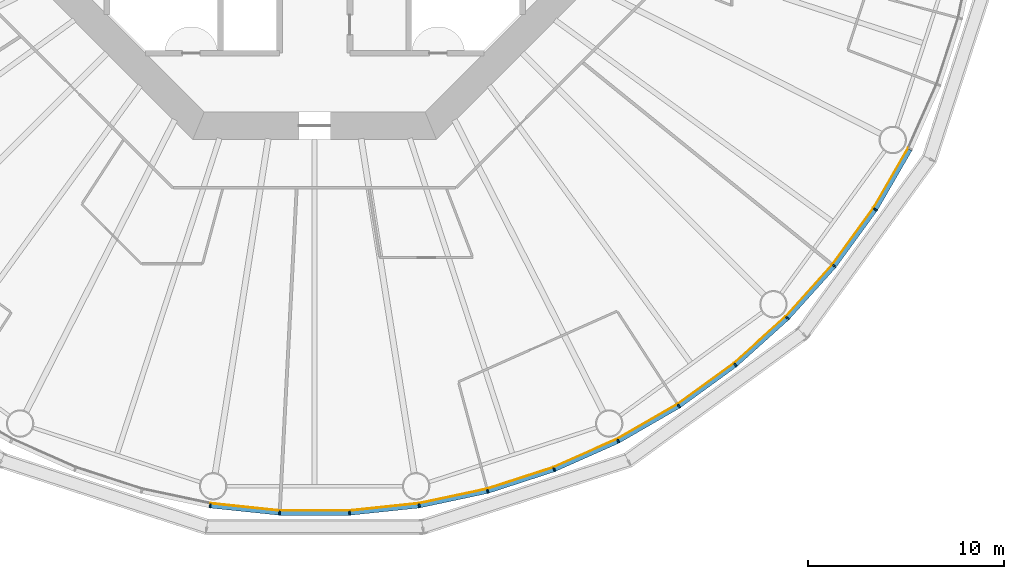
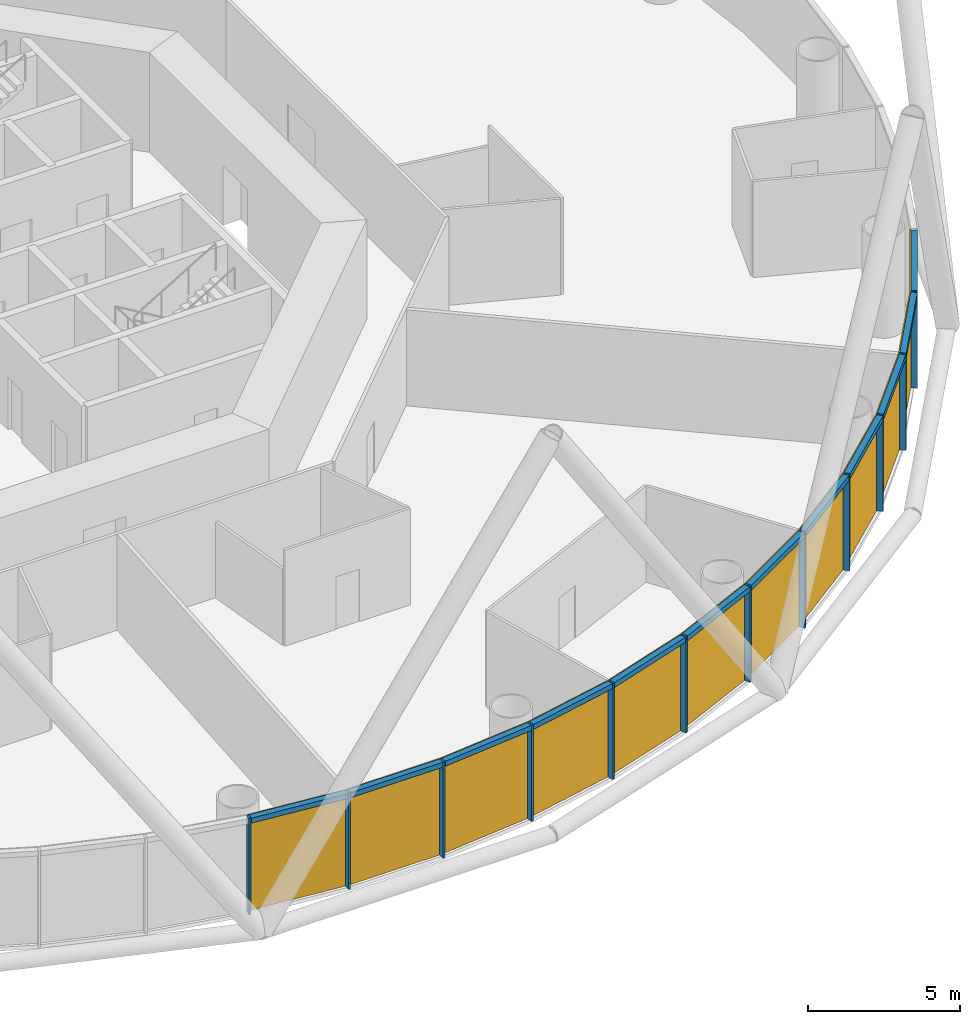
# One storey, part 8 of 13: 24 members, 4 curtain walls.
"""IFC4 building model written with IfcOpenShell, lengths in metres."""

from ifc_helpers import new_model, si_unit, direction, frame, origin, origin_2d, place, context, subcontext, project, spatial, polyline, rectangle, outline, extrude, material, layer, layer_set, material_profile, profile_set, type_object, element, aggregate, save


model = new_model("IFC4")

# Units and contexts
model_context = context("Model", 3, precision=1e-05, world=origin(), true_north=direction((0.0, 1.0)))
body_context = subcontext(model_context, "Body", "Model", "MODEL_VIEW")
ifc_project = project(units=[si_unit("LENGTHUNIT", "METRE"), si_unit("AREAUNIT", "SQUARE_METRE"), si_unit("VOLUMEUNIT", "CUBIC_METRE"), si_unit("PLANEANGLEUNIT", "RADIAN"), si_unit("MASSUNIT", "GRAM", prefix="KILO")], contexts=[model_context])

# Member
ifc_material_1 = material(Name="Anodised aluminium", Category="aluminium")
ifc_material_profile_1 = material_profile(ifc_material_1, rectangle(XDim=0.074951171875, YDim=0.219970703125, at=origin_2d()), Name="Mullion 75 x 220 mm anodised aluminium")
ifc_profile_set_1 = profile_set([ifc_material_profile_1], Name="Anodised aluminium")
member_type_1 = type_object("IfcMemberType", Name="Mullion 75 x 220 mm anodised aluminium", PredefinedType="MULLION", material=ifc_profile_set_1)
site_placement = place(None, origin())
building_placement = place(site_placement, origin())
storey_placement = place(building_placement, frame((0.0, 0.0, 38.0)))
member_1_placement = place(storey_placement, frame((84.6640625, 46.31005859375, 0.0), z_axis=(0.0, 0.0, 1.0), x_axis=(0.987688340595, -0.15643446504, 0.0)))
member_1 = element("IfcMember", 1, at=member_1_placement, type_object=member_type_1, Name="MULLION L07-42", PredefinedType="MULLION", context=body_context, shape_type="SweptSolid", body=[
    extrude(rectangle(XDim=0.074951171875, YDim=0.219970703125, at=origin_2d()), origin(), (0.0, 0.0, 1.0), 3.85009765625),
])

member_2_placement = place(storey_placement, frame((88.21484375, 45.936767578125, 0.0), z_axis=(0.0, 0.0, 1.0), x_axis=(0.998629534755, -0.052335956243, 0.0)))
member_2 = element("IfcMember", 2, at=member_2_placement, type_object=member_type_1, Name="MULLION L07-43", PredefinedType="MULLION", context=body_context, shape_type="SweptSolid", body=[
    extrude(rectangle(XDim=0.074951171875, YDim=0.219970703125, at=origin_2d()), origin(), (0.0, 0.0, 1.0), 3.85009765625),
])

member_3_placement = place(storey_placement, frame((91.78515625, 45.936767578125, 0.0), z_axis=(0.0, 0.0, 1.0), x_axis=(0.998629534755, 0.052335956243, 0.0)))
member_3 = element("IfcMember", 3, at=member_3_placement, type_object=member_type_1, Name="MULLION L07-44", PredefinedType="MULLION", context=body_context, shape_type="SweptSolid", body=[
    extrude(rectangle(XDim=0.074951171875, YDim=0.219970703125, at=origin_2d()), origin(), (0.0, 0.0, 1.0), 3.85009765625),
])

member_4_placement = place(storey_placement, frame((95.3359375, 46.31005859375, 0.0), z_axis=(0.0, 0.0, 1.0), x_axis=(0.987688340595, 0.15643446504, 0.0)))
member_4 = element("IfcMember", 4, at=member_4_placement, type_object=member_type_1, Name="MULLION L07-45", PredefinedType="MULLION", context=body_context, shape_type="SweptSolid", body=[
    extrude(rectangle(XDim=0.074951171875, YDim=0.219970703125, at=origin_2d()), origin(), (0.0, 0.0, 1.0), 3.85009765625),
])

member_5_placement = place(storey_placement, frame((98.828369140625, 47.05224609375, 0.0), z_axis=(0.0, 0.0, 1.0), x_axis=(0.965925826289, 0.258819045103, 0.0)))
member_5 = element("IfcMember", 5, at=member_5_placement, type_object=member_type_1, Name="MULLION L07-46", PredefinedType="MULLION", context=body_context, shape_type="SweptSolid", body=[
    extrude(rectangle(XDim=0.074951171875, YDim=0.219970703125, at=origin_2d()), origin(), (0.0, 0.0, 1.0), 3.85009765625),
])

member_6_placement = place(storey_placement, frame((102.223876953125, 48.155517578125, 0.0), z_axis=(0.0, 0.0, 1.0), x_axis=(0.933580426497, 0.358367949545, 0.0)))
member_6 = element("IfcMember", 6, at=member_6_placement, type_object=member_type_1, Name="MULLION L07-47", PredefinedType="MULLION", context=body_context, shape_type="SweptSolid", body=[
    extrude(rectangle(XDim=0.074951171875, YDim=0.219970703125, at=origin_2d()), origin(), (0.0, 0.0, 1.0), 3.85009765625),
])

member_7_placement = place(storey_placement, frame((105.485595703125, 49.607666015625, 0.0), z_axis=(0.0, 0.0, 1.0), x_axis=(0.891006524188, 0.45399049974, 0.0)))
member_7 = element("IfcMember", 7, at=member_7_placement, type_object=member_type_1, Name="MULLION L07-48", PredefinedType="MULLION", context=body_context, shape_type="SweptSolid", body=[
    extrude(rectangle(XDim=0.074951171875, YDim=0.219970703125, at=origin_2d()), origin(), (0.0, 0.0, 1.0), 3.85009765625),
])

member_8_placement = place(storey_placement, frame((108.57763671875, 51.39306640625, 0.0), z_axis=(0.0, 0.0, 1.0), x_axis=(0.838670567945, 0.544639035015, 0.0)))
member_8 = element("IfcMember", 8, at=member_8_placement, type_object=member_type_1, Name="MULLION L07-49", PredefinedType="MULLION", context=body_context, shape_type="SweptSolid", body=[
    extrude(rectangle(XDim=0.074951171875, YDim=0.219970703125, at=origin_2d()), origin(), (0.0, 0.0, 1.0), 3.85009765625),
])

member_9_placement = place(storey_placement, frame((111.466064453125, 53.491455078125, 0.0), z_axis=(0.0, 0.0, 1.0), x_axis=(0.777145961457, 0.62932039105, 0.0)))
member_9 = element("IfcMember", 9, at=member_9_placement, type_object=member_type_1, Name="MULLION L07-50", PredefinedType="MULLION", context=body_context, shape_type="SweptSolid", body=[
    extrude(rectangle(XDim=0.074951171875, YDim=0.219970703125, at=origin_2d()), origin(), (0.0, 0.0, 1.0), 3.85009765625),
])

member_10_placement = place(storey_placement, frame((114.119384765625, 55.880615234375, 0.0), z_axis=(0.0, 0.0, 1.0), x_axis=(0.707106781187, 0.707106781187, 0.0)))
member_10 = element("IfcMember", 10, at=member_10_placement, type_object=member_type_1, Name="MULLION L07-51", PredefinedType="MULLION", context=body_context, shape_type="SweptSolid", body=[
    extrude(rectangle(XDim=0.074951171875, YDim=0.219970703125, at=origin_2d()), origin(), (0.0, 0.0, 1.0), 3.85009765625),
])

member_11_placement = place(storey_placement, frame((116.508544921875, 58.533935546875, 0.0), z_axis=(0.0, 0.0, 1.0), x_axis=(0.62932039105, 0.777145961457, 0.0)))
member_11 = element("IfcMember", 11, at=member_11_placement, type_object=member_type_1, Name="MULLION L07-52", PredefinedType="MULLION", context=body_context, shape_type="SweptSolid", body=[
    extrude(rectangle(XDim=0.074951171875, YDim=0.219970703125, at=origin_2d()), origin(), (0.0, 0.0, 1.0), 3.85009765625),
])

member_12_placement = place(storey_placement, frame((118.60693359375, 61.42236328125, 0.0), z_axis=(0.0, 0.0, 1.0), x_axis=(0.544639035015, 0.838670567945, 0.0)))
member_12 = element("IfcMember", 12, at=member_12_placement, type_object=member_type_1, Name="MULLION L07-53", PredefinedType="MULLION", context=body_context, shape_type="SweptSolid", body=[
    extrude(rectangle(XDim=0.074951171875, YDim=0.219970703125, at=origin_2d()), origin(), (0.0, 0.0, 1.0), 3.85009765625),
])

ifc_material_2 = material(Name="Anodised aluminium", Category="aluminium")
ifc_material_profile_2 = material_profile(ifc_material_2, rectangle(XDim=0.219970703125, YDim=0.199951171875, at=origin_2d()), Name="Transom 200 x 220 mm anodised aluminium")
ifc_profile_set_2 = profile_set([ifc_material_profile_2], Name="Anodised aluminium")
member_type_2 = type_object("IfcMemberType", Name="Transom 200 x 220 mm anodised aluminium", PredefinedType="USERDEFINED", material=ifc_profile_set_2)
member_13_placement = place(storey_placement, frame((84.70703125, 46.30517578125, 3.75), z_axis=(0.994526551648, -0.104484152234, 0.0), x_axis=(0.104484152234, 0.994526551648, 0.0)))
member_13 = element("IfcMember", 13, at=member_13_placement, type_object=member_type_2, Name="TRANSOM L07-42", ObjectType="TRANSOM", PredefinedType="USERDEFINED", context=body_context, shape_type="SweptSolid", body=[
    extrude(rectangle(XDim=0.219970703125, YDim=0.199951171875, at=origin_2d()), origin(), (0.0, 0.0, 1.0), 3.48388671875),
])

member_14_placement = place(storey_placement, frame((88.258056640625, 45.9365234375, 3.75), z_axis=(1.0, 0.0, 0.0), x_axis=(0.0, 1.0, 0.0)))
member_14 = element("IfcMember", 14, at=member_14_placement, type_object=member_type_2, Name="TRANSOM L07-43", ObjectType="TRANSOM", PredefinedType="USERDEFINED", context=body_context, shape_type="SweptSolid", body=[
    extrude(rectangle(XDim=0.219970703125, YDim=0.199951171875, at=origin_2d()), origin(), (0.0, 0.0, 1.0), 3.48388671875),
])

member_15_placement = place(storey_placement, frame((91.828125, 45.941162109375, 3.75), z_axis=(0.994526551648, 0.104484152234, 0.0), x_axis=(-0.104484152234, 0.994526551648, 0.0)))
member_15 = element("IfcMember", 15, at=member_15_placement, type_object=member_type_2, Name="TRANSOM L07-44", ObjectType="TRANSOM", PredefinedType="USERDEFINED", context=body_context, shape_type="SweptSolid", body=[
    extrude(rectangle(XDim=0.219970703125, YDim=0.199951171875, at=origin_2d()), origin(), (0.0, 0.0, 1.0), 3.48388671875),
])

member_16_placement = place(storey_placement, frame((95.37841796875, 46.31884765625, 3.75), z_axis=(0.978145669426, 0.207920776701, 0.0), x_axis=(-0.207920776701, 0.978145669426, 0.0)))
member_16 = element("IfcMember", 16, at=member_16_placement, type_object=member_type_2, Name="TRANSOM L07-45", ObjectType="TRANSOM", PredefinedType="USERDEFINED", context=body_context, shape_type="SweptSolid", body=[
    extrude(rectangle(XDim=0.219970703125, YDim=0.199951171875, at=origin_2d()), origin(), (0.0, 0.0, 1.0), 3.48388671875),
])

member_17_placement = place(storey_placement, frame((98.869384765625, 47.0654296875, 3.75), z_axis=(0.951052605696, 0.309029029702, 0.0), x_axis=(-0.309029029702, 0.951052605696, 0.0)))
member_17 = element("IfcMember", 17, at=member_17_placement, type_object=member_type_2, Name="TRANSOM L07-46", ObjectType="TRANSOM", PredefinedType="USERDEFINED", context=body_context, shape_type="SweptSolid", body=[
    extrude(rectangle(XDim=0.219970703125, YDim=0.199951171875, at=origin_2d()), origin(), (0.0, 0.0, 1.0), 3.484130859375),
])

member_18_placement = place(storey_placement, frame((102.263427734375, 48.173095703125, 3.75), z_axis=(0.913545487371, 0.406736576304, 0.0), x_axis=(-0.406736576304, 0.913545487371, 0.0)))
member_18 = element("IfcMember", 18, at=member_18_placement, type_object=member_type_2, Name="TRANSOM L07-47", ObjectType="TRANSOM", PredefinedType="USERDEFINED", context=body_context, shape_type="SweptSolid", body=[
    extrude(rectangle(XDim=0.219970703125, YDim=0.199951171875, at=origin_2d()), origin(), (0.0, 0.0, 1.0), 3.48388671875),
])

member_19_placement = place(storey_placement, frame((105.523193359375, 49.629150390625, 3.75), z_axis=(0.866022206254, 0.500005538244, 0.0), x_axis=(-0.500005538244, 0.866022206254, 0.0)))
member_19 = element("IfcMember", 19, at=member_19_placement, type_object=member_type_2, Name="TRANSOM L07-48", ObjectType="TRANSOM", PredefinedType="USERDEFINED", context=body_context, shape_type="SweptSolid", body=[
    extrude(rectangle(XDim=0.219970703125, YDim=0.199951171875, at=origin_2d()), origin(), (0.0, 0.0, 1.0), 3.48388671875),
])

member_20_placement = place(storey_placement, frame((108.61279296875, 51.418212890625, 3.75), z_axis=(0.80899056535, 0.587821627006, 0.0), x_axis=(-0.587821627006, 0.80899056535, 0.0)))
member_20 = element("IfcMember", 20, at=member_20_placement, type_object=member_type_2, Name="TRANSOM L07-49", ObjectType="TRANSOM", PredefinedType="USERDEFINED", context=body_context, shape_type="SweptSolid", body=[
    extrude(rectangle(XDim=0.219970703125, YDim=0.199951171875, at=origin_2d()), origin(), (0.0, 0.0, 1.0), 3.48388671875),
])

member_21_placement = place(storey_placement, frame((111.498291015625, 53.520263671875, 3.75), z_axis=(0.743137329876, 0.669138930974, 0.0), x_axis=(-0.669138930974, 0.743137329876, 0.0)))
member_21 = element("IfcMember", 21, at=member_21_placement, type_object=member_type_2, Name="TRANSOM L07-50", ObjectType="TRANSOM", PredefinedType="USERDEFINED", context=body_context, shape_type="SweptSolid", body=[
    extrude(rectangle(XDim=0.219970703125, YDim=0.199951171875, at=origin_2d()), origin(), (0.0, 0.0, 1.0), 3.484130859375),
])

member_22_placement = place(storey_placement, frame((114.1484375, 55.91259765625, 3.75), z_axis=(0.669138930974, 0.743137329876, 0.0), x_axis=(-0.743137329876, 0.669138930974, 0.0)))
member_22 = element("IfcMember", 22, at=member_22_placement, type_object=member_type_2, Name="TRANSOM L07-51", ObjectType="TRANSOM", PredefinedType="USERDEFINED", context=body_context, shape_type="SweptSolid", body=[
    extrude(rectangle(XDim=0.219970703125, YDim=0.199951171875, at=origin_2d()), origin(), (0.0, 0.0, 1.0), 3.484130859375),
])

member_23_placement = place(storey_placement, frame((116.533935546875, 58.56884765625, 3.75), z_axis=(0.587821627006, 0.80899056535, 0.0), x_axis=(-0.80899056535, 0.587821627006, 0.0)))
member_23 = element("IfcMember", 23, at=member_23_placement, type_object=member_type_2, Name="TRANSOM L07-52", ObjectType="TRANSOM", PredefinedType="USERDEFINED", context=body_context, shape_type="SweptSolid", body=[
    extrude(rectangle(XDim=0.219970703125, YDim=0.199951171875, at=origin_2d()), origin(), (0.0, 0.0, 1.0), 3.48388671875),
])

member_24_placement = place(storey_placement, frame((118.62890625, 61.459716796875, 3.75), z_axis=(0.500005538244, 0.866022206254, 0.0), x_axis=(-0.866022206254, 0.500005538244, 0.0)))
member_24 = element("IfcMember", 24, at=member_24_placement, type_object=member_type_2, Name="TRANSOM L07-53", ObjectType="TRANSOM", PredefinedType="USERDEFINED", context=body_context, shape_type="SweptSolid", body=[
    extrude(rectangle(XDim=0.219970703125, YDim=0.199951171875, at=origin_2d()), origin(), (0.0, 0.0, 1.0), 3.48388671875),
])

# Site, building, storey
site = spatial("IfcSite", under=ifc_project, at=site_placement, CompositionType="ELEMENT")
building = spatial("IfcBuilding", under=site, at=building_placement, Name="Entoto Ring Tower", CompositionType="ELEMENT")
storey = spatial("IfcBuildingStorey", under=building, at=storey_placement, Name="L07", CompositionType="ELEMENT", Elevation=38.0)

# Curtain wall
ifc_material_3 = material(Name="Clear low-iron glass", Category="glass")
ifc_layer = layer(ifc_material_3, 0.0400390625)
ifc_layer_set = layer_set([ifc_layer], Name="Clear low-iron glass")
curtain_wall_type = type_object("IfcCurtainWallType", Name="Curtain wall system CW1 glazing 40 mm", PredefinedType="NOTDEFINED", material=ifc_layer_set)
curtain_wall_1_placement = place(storey_placement, origin())
curtain_wall_1 = element("IfcCurtainWall", 25, at=curtain_wall_1_placement, inside=storey, type_object=curtain_wall_type, Name="CW1 L07-15", PredefinedType="NOTDEFINED", context=body_context, shape_type="SweptSolid", body=[
    extrude(outline(polyline([(84.68115234375, 46.418701171875), (88.220458984375, 46.046630859375), (91.779541015625, 46.046630859375), (95.31884765625, 46.418701171875), (95.3125, 46.458251953125), (91.77734375, 46.086669921875), (88.22265625, 46.086669921875), (84.6875, 46.458251953125), (84.68115234375, 46.418701171875)])), origin(), (0.0, 0.0, 1.0), 3.85009765625),
])

aggregate(curtain_wall_1, [member_1, member_2, member_3, member_13, member_14, member_15])

curtain_wall_2_placement = place(storey_placement, origin())
curtain_wall_2 = element("IfcCurtainWall", 26, at=curtain_wall_2_placement, inside=storey, type_object=curtain_wall_type, Name="CW1 L07-16", PredefinedType="NOTDEFINED", context=body_context, shape_type="SweptSolid", body=[
    extrude(outline(polyline([(95.31884765625, 46.418701171875), (98.7998046875, 47.158447265625), (102.1845703125, 48.25830078125), (105.435791015625, 49.705810546875), (105.41748046875, 49.741455078125), (102.170166015625, 48.295654296875), (98.78955078125, 47.197265625), (95.3125, 46.458251953125), (95.31884765625, 46.418701171875)])), origin(), (0.0, 0.0, 1.0), 3.85009765625),
])

aggregate(curtain_wall_2, [member_4, member_5, member_6, member_16, member_17, member_18])

curtain_wall_3_placement = place(storey_placement, origin())
curtain_wall_3 = element("IfcCurtainWall", 27, at=curtain_wall_3_placement, inside=storey, type_object=curtain_wall_type, Name="CW1 L07-17", PredefinedType="NOTDEFINED", context=body_context, shape_type="SweptSolid", body=[
    extrude(outline(polyline([(105.435791015625, 49.705810546875), (108.517822265625, 51.485107421875), (111.39697265625, 53.5771484375), (114.041748046875, 55.958251953125), (114.013427734375, 55.986572265625), (111.37158203125, 53.608154296875), (108.495849609375, 51.518798828125), (105.41748046875, 49.741455078125), (105.435791015625, 49.705810546875)])), origin(), (0.0, 0.0, 1.0), 3.85009765625),
])

aggregate(curtain_wall_3, [member_7, member_8, member_9, member_19, member_20, member_21])

curtain_wall_4_placement = place(storey_placement, origin())
curtain_wall_4 = element("IfcCurtainWall", 28, at=curtain_wall_4_placement, inside=storey, type_object=curtain_wall_type, Name="CW1 L07-18", PredefinedType="NOTDEFINED", context=body_context, shape_type="SweptSolid", body=[
    extrude(outline(polyline([(114.041748046875, 55.958251953125), (116.4228515625, 58.60302734375), (118.514892578125, 61.482177734375), (120.294189453125, 64.564208984375), (120.258544921875, 64.58251953125), (118.481201171875, 61.504150390625), (116.391845703125, 58.62841796875), (114.013427734375, 55.986572265625), (114.041748046875, 55.958251953125)])), origin(), (0.0, 0.0, 1.0), 3.85009765625),
])

aggregate(curtain_wall_4, [member_10, member_11, member_12, member_22, member_23, member_24])

save(model, "model.ifc")
